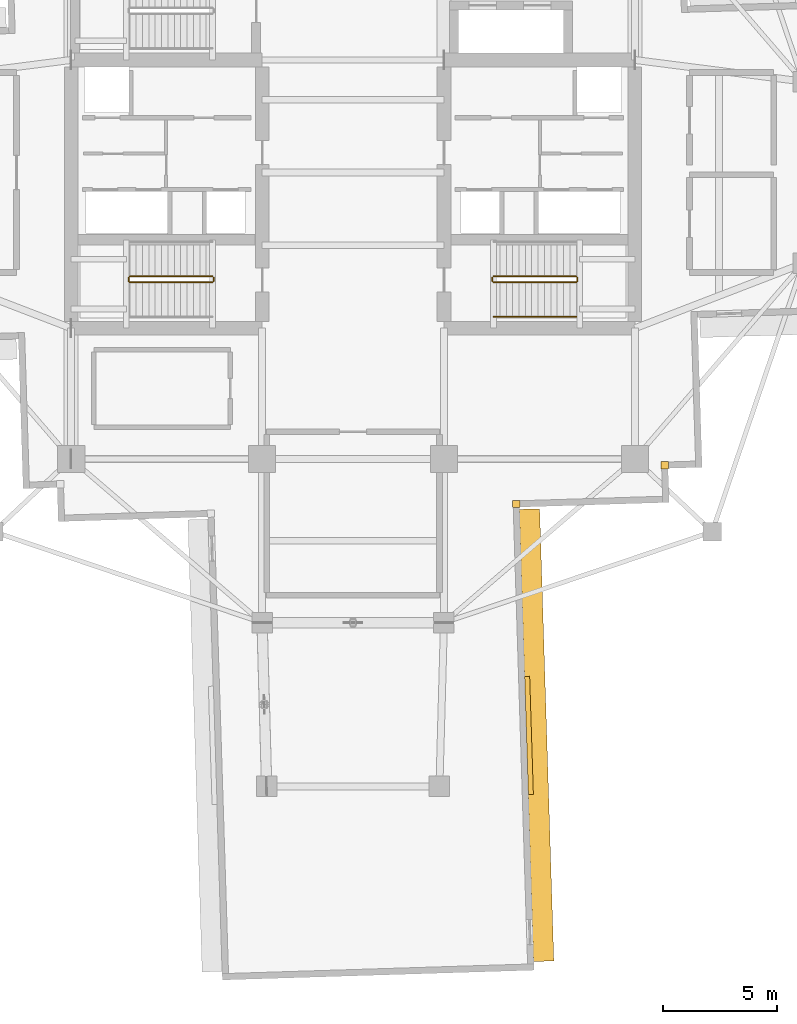
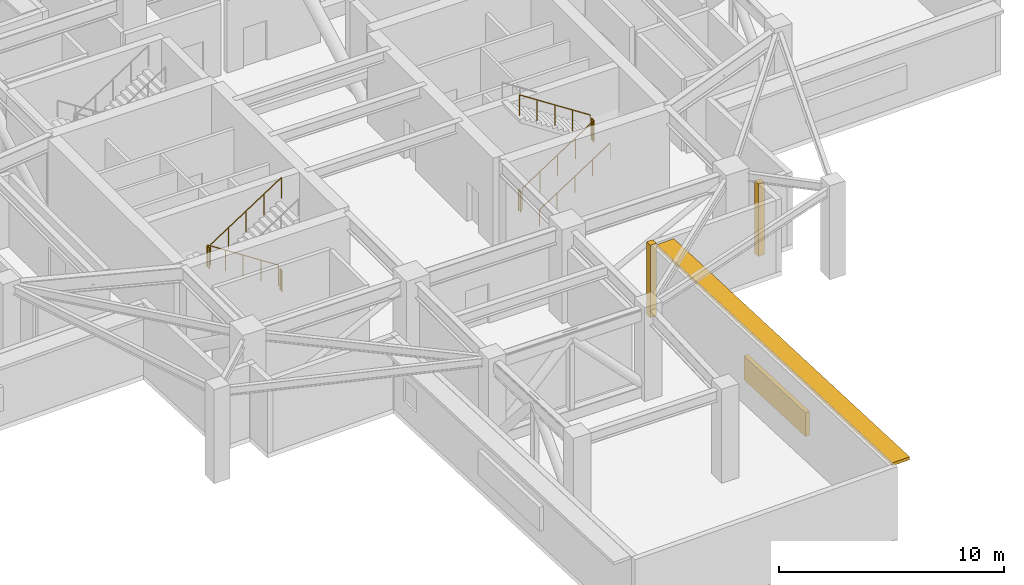
# One storey, part 14 of 17: 9 railings, 2 coverings, 2 shading devices.
"""IFC4 building model written with IfcOpenShell, lengths in metres."""

import ifcopenshell
import ifcopenshell.guid

model = None  # the IFC model being written
_history = None  # IfcOwnerHistory: only IFC2X3 demands one
_inside = {}  # id of a spatial element -> (the spatial element, [elements in it])
_under = {}  # id of a project, library or spatial element -> (it, [spatial elements below it])
_declared = {}  # id of a project -> (the project, [libraries it declares])
_typed = {}  # id of a type object -> (the type object, [elements of that type])
_made_of = {}  # id of a material, layer set ... -> (it, [elements and type objects made of it])


def new_model(schema):
    """Start an empty IFC model of exactly this schema.

    Asked for "IFC4X3", IfcOpenShell would pick the latest addendum, in which some entities
    have other attributes; the version numbers below select the first issue.
    IFC2X3 requires an IfcOwnerHistory on every rooted entity: one is made here for all.
    """
    global model, _history
    if schema == "IFC4X3":
        model = ifcopenshell.file(schema_version=(4, 3, 0, 0))
    else:
        model = ifcopenshell.file(schema=schema)
    _inside.clear()
    _under.clear()
    _declared.clear()
    _typed.clear()
    _made_of.clear()
    _history = None
    if model.schema == "IFC2X3":
        org = make("IfcOrganization", Name="unknown")
        user = make(
            "IfcPersonAndOrganization",
            ThePerson=make("IfcPerson", FamilyName="unknown"),
            TheOrganization=org,
        )
        app = make(
            "IfcApplication",
            ApplicationDeveloper=org,
            Version="unknown",
            ApplicationFullName="unknown",
            ApplicationIdentifier="unknown",
        )
        _history = make(
            "IfcOwnerHistory",
            OwningUser=user,
            OwningApplication=app,
            ChangeAction="ADDED",
            CreationDate=0,
        )
    return model


def make(cls, **values):
    """One entity of the class cls with the attributes given. An attribute that is None is left unset."""
    return model.create_entity(
        cls, **{name: value for name, value in values.items() if value is not None}
    )


def rooted(cls, **values):
    """An entity with a GlobalId (a new one), such as an element, a storey or a relation."""
    return make(cls, GlobalId=ifcopenshell.guid.new(), OwnerHistory=_history, **values)


def si_unit(unit_type, name, prefix=None):
    """IfcSIUnit, for example si_unit("LENGTHUNIT", "METRE", prefix="MILLI")."""
    return make("IfcSIUnit", UnitType=unit_type, Prefix=prefix, Name=name)


def assignment(units):
    """IfcUnitAssignment: the units of a project."""
    return None if units is None else make("IfcUnitAssignment", Units=units)


def point(xyz):
    """IfcCartesianPoint."""
    return None if xyz is None else make("IfcCartesianPoint", Coordinates=xyz)


def direction(xyz):
    """IfcDirection."""
    return None if xyz is None else make("IfcDirection", DirectionRatios=xyz)


def frame(location, z_axis=None, x_axis=None):
    """IfcAxis2Placement3D, a coordinate frame: its origin and axes. An axis left out is left unset."""
    return make(
        "IfcAxis2Placement3D",
        Location=point(location),
        Axis=direction(z_axis),
        RefDirection=direction(x_axis),
    )


def frame_2d(location, x_axis=None):
    """IfcAxis2Placement2D, a coordinate frame in the plane: its origin and x axis."""
    return make(
        "IfcAxis2Placement2D", Location=point(location), RefDirection=direction(x_axis)
    )


def origin():
    """The frame at (0, 0, 0) with its axes left unset."""
    return frame((0.0, 0.0, 0.0))


def origin_2d():
    """The frame at (0, 0) in the plane with its x axis left unset."""
    return frame_2d((0.0, 0.0))


def place(relative_to, where):
    """IfcLocalPlacement: puts the frame where relative to a parent placement (None: the world)."""
    return make(
        "IfcLocalPlacement", PlacementRelTo=relative_to, RelativePlacement=where
    )


def context(
    kind, dimensions, precision=None, world=None, true_north=None, identifier=None
):
    """IfcGeometricRepresentationContext, for example the 3D "Model" context."""
    return make(
        "IfcGeometricRepresentationContext",
        ContextIdentifier=identifier,
        ContextType=kind,
        CoordinateSpaceDimension=dimensions,
        Precision=precision,
        WorldCoordinateSystem=world,
        TrueNorth=true_north,
    )


def subcontext(parent, identifier, kind, view, scale=None):
    """IfcGeometricRepresentationSubContext, for example "Body" below "Model"."""
    return make(
        "IfcGeometricRepresentationSubContext",
        ContextIdentifier=identifier,
        ContextType=kind,
        ParentContext=parent,
        TargetScale=scale,
        TargetView=view,
    )


def project(units=None, contexts=None):
    """IfcProject with its units and contexts."""
    return rooted(
        "IfcProject",
        Name="project",
        RepresentationContexts=contexts,
        UnitsInContext=assignment(units),
    )


def spatial(cls, under=None, at=None, **own):
    """A site, building, storey or space (cls), placed at a placement, below another one or the project."""
    s = rooted(cls, ObjectPlacement=at, **own)
    if under is not None:
        _under.setdefault(under.id(), (under, []))[1].append(s)
    return s


def profile(cls, at=None, kind="AREA", **sizes):
    """A parametric profile (cls). Its sizes go by their IFC names, for example OverallWidth=200.0."""
    return make(cls, ProfileType=kind, Position=at, **sizes)


def rectangle(**sizes):
    """IfcRectangleProfileDef."""
    return profile("IfcRectangleProfileDef", **sizes)


def circle(**sizes):
    """IfcCircleProfileDef."""
    return profile("IfcCircleProfileDef", **sizes)


def extrude(swept, where, along, depth):
    """IfcExtrudedAreaSolid: the profile swept, set in the frame where, extruded along a direction by depth."""
    return make(
        "IfcExtrudedAreaSolid",
        SweptArea=swept,
        Position=where,
        ExtrudedDirection=direction(along),
        Depth=depth,
    )


def shape(context_of_items, identifier, shape_type, items):
    """IfcShapeRepresentation: the items that make up one representation, for example the "Body"."""
    return make(
        "IfcShapeRepresentation",
        ContextOfItems=context_of_items,
        RepresentationIdentifier=identifier,
        RepresentationType=shape_type,
        Items=items,
    )


def material(Name=None, Category=None):
    """IfcMaterial."""
    return make("IfcMaterial", Name=Name, Category=Category)


def layer(
    of_material, thickness, ventilated=None, Name=None, Category=None, Priority=None
):
    """IfcMaterialLayer: one layer of a wall or slab, of a material (None: an air gap)."""
    return make(
        "IfcMaterialLayer",
        Material=of_material,
        LayerThickness=thickness,
        IsVentilated=ventilated,
        Name=Name,
        Category=Category,
        Priority=Priority,
    )


def layer_set(layers, Name=None):
    """IfcMaterialLayerSet."""
    return make("IfcMaterialLayerSet", MaterialLayers=layers, LayerSetName=Name)


def made_of(thing, what):
    """Note that an element or type object is made of a material, layer set ...; save() writes the relation."""
    if what is not None:
        _made_of.setdefault(what.id(), (what, []))[1].append(thing)
    return thing


def type_object(cls, material=None, **own):
    """A type object (cls), such as IfcWallType, which elements share."""
    return made_of(rooted(cls, **own), material)


def element(
    cls,
    number,
    at=None,
    inside=None,
    cuts=None,
    type_object=None,
    material=None,
    context=None,
    identifier="Body",
    shape_type=None,
    held_by="IfcProductDefinitionShape",
    body=None,
    shapes=None,
    **own,
):
    """One element of the class cls, such as IfcWall. Its Tag is "e" and its number.

    at: its placement. inside: the storey or other place that contains it. cuts: it is an
    opening in that element (IfcRelVoidsElement). A single representation is given by context,
    identifier, shape_type and body (its items); several are given by shapes. held_by: the class
    of the entity that holds the representations. save() writes the other relations.
    """
    e = rooted(cls, Tag="e%d" % number, ObjectPlacement=at, **own)
    if body is not None:
        shapes = [shape(context, identifier, shape_type, body)]
    if shapes is not None:
        e.Representation = make(held_by, Representations=shapes)
    if inside is not None:
        _inside.setdefault(inside.id(), (inside, []))[1].append(e)
    if cuts is not None:
        rooted(
            "IfcRelVoidsElement", RelatingBuildingElement=cuts, RelatedOpeningElement=e
        )
    if type_object is not None:
        _typed.setdefault(type_object.id(), (type_object, []))[1].append(e)
    return made_of(e, material)


def aggregate(whole, parts):
    """IfcRelAggregates: a whole, such as a stair, and the parts it consists of."""
    return rooted("IfcRelAggregates", RelatingObject=whole, RelatedObjects=parts)


def save(model, path):
    """Write the relations noted so far, then the file.

    IfcRelAggregates (storeys below a building ...), IfcRelContainedInSpatialStructure (elements
    in a storey), IfcRelDefinesByType, IfcRelAssociatesMaterial and IfcRelDeclares: one each for
    every whole, place, type object, material and project.
    """
    for whole, parts in _under.values():
        aggregate(whole, parts)
    for where, things in _inside.values():
        rooted(
            "IfcRelContainedInSpatialStructure",
            RelatedElements=things,
            RelatingStructure=where,
        )
    for kind, things in _typed.values():
        rooted("IfcRelDefinesByType", RelatedObjects=things, RelatingType=kind)
    for what, things in _made_of.values():
        rooted("IfcRelAssociatesMaterial", RelatedObjects=things, RelatingMaterial=what)
    for by, libraries in _declared.values():
        rooted("IfcRelDeclares", RelatingContext=by, RelatedDefinitions=libraries)
    model.write(path)


model = new_model("IFC4")

# Units and contexts
model_context = context("Model", 3, precision=1e-05, world=origin(), true_north=direction((0.0, 1.0)))
body_context = subcontext(model_context, "Body", "Model", "MODEL_VIEW")
ifc_project = project(units=[si_unit("LENGTHUNIT", "METRE"), si_unit("AREAUNIT", "SQUARE_METRE"), si_unit("VOLUMEUNIT", "CUBIC_METRE"), si_unit("PLANEANGLEUNIT", "RADIAN"), si_unit("MASSUNIT", "GRAM", prefix="KILO")], contexts=[model_context])

# Site, building, storey
site_placement = place(None, origin())
site = spatial("IfcSite", under=ifc_project, at=site_placement, CompositionType="ELEMENT")
building_placement = place(site_placement, origin())
building = spatial("IfcBuilding", under=site, at=building_placement, Name="Qingluan Cross Belvedere", CompositionType="ELEMENT")
storey_placement = place(building_placement, frame((0.0, 0.0, 191.699951171875)))
storey = spatial("IfcBuildingStorey", under=building, at=storey_placement, Name="L48", CompositionType="ELEMENT", Elevation=191.699951171875)

# Coverings
ifc_material_1 = material(Name="Precast concrete C45", Category="concrete")
ifc_layer_1 = layer(ifc_material_1, 0.1201171875, Name="ConcreteSpandrelCladding_120")
ifc_layer_set_1 = layer_set([ifc_layer_1], Name="Precast concrete C45")
covering_type = type_object("IfcCoveringType", Name="ConcreteSpandrelCladding_120", PredefinedType="CLADDING", material=ifc_layer_set_1)
for number, where, z_axis, x_axis, name in (
    (1, (13.711181640625, -12.875732421875, 0.0), (0.0, 0.0, 1.0), (0.999506560366, 0.031410759078, 0.0), "Corner closure L48-SE1"),
    (2, (7.181640625, -14.58154296875, 0.0), (0.0, 0.0, 1.0), (0.999506560366, 0.031410759078, 0.0), "Corner closure L48-SE2"),
):
    element("IfcCovering", number, at=place(storey_placement, frame(where, z_axis=z_axis, x_axis=x_axis)), inside=storey, type_object=covering_type, Name=name, PredefinedType="CLADDING", context=body_context, shape_type="SweptSolid", body=[
        extrude(rectangle(XDim=0.320068359375, YDim=0.320068359375, at=origin_2d()), origin(), (0.0, 0.0, 1.0), 3.929931640625),
    ])

# Shading devices
ifc_material_2 = material(Name="Precast concrete C45", Category="concrete")
ifc_layer_2 = layer(ifc_material_2, 0.159912109375, Name="ConcreteSunshadeBand_900")
ifc_layer_set_2 = layer_set([ifc_layer_2], Name="Precast concrete C45")
shading_device_type_1 = type_object("IfcShadingDeviceType", Name="ConcreteSunshadeBand_900", PredefinedType="USERDEFINED", material=ifc_layer_set_2)
shading_device_1_placement = place(storey_placement, frame((8.0712890625, -24.74853515625, 3.75), z_axis=(0.0, 0.0, 1.0), x_axis=(-0.031407934627, 0.999506649124, 0.0)))
element("IfcShadingDevice", 3, at=shading_device_1_placement, inside=storey, type_object=shading_device_type_1, Name="Concrete SUNSHADE L48-SB", ObjectType="SUNSHADE", PredefinedType="USERDEFINED", context=body_context, shape_type="SweptSolid", body=[
    extrude(rectangle(XDim=19.89990234375, YDim=0.89990234375, at=origin_2d()), origin(), (0.0, 0.0, 1.0), 0.159912109375),
])
ifc_material_3 = material(Name="Anodised aluminium acoustic louvre screen", Category="aluminium")
ifc_layer_3 = layer(ifc_material_3, 0.219970703125, Name="RefugeAcousticLouvre_Screen")
ifc_layer_set_3 = layer_set([ifc_layer_3], Name="Anodised aluminium acoustic louvre screen")
shading_device_type_2 = type_object("IfcShadingDeviceType", Name="RefugeAcousticLouvre_Screen", PredefinedType="JALOUSIE", material=ifc_layer_set_3)
shading_device_2_placement = place(storey_placement, frame((7.741455078125, -24.759033203125, 0.9501953125), z_axis=(0.0, 0.0, 1.0), x_axis=(-0.031407934627, 0.999506649124, 0.0)))
element("IfcShadingDevice", 4, at=shading_device_2_placement, inside=storey, type_object=shading_device_type_2, Name="Plant acoustic louvre SCREEN L48-SB", PredefinedType="JALOUSIE", context=body_context, shape_type="SweptSolid", body=[
    extrude(rectangle(XDim=5.199951171875, YDim=0.219970703125, at=origin_2d()), origin(), (0.0, 0.0, 1.0), 1.300048828125),
])

# Railings
ifc_material_4 = material(Name="Brushed stainless steel tubular handrail", Category="steel")
railing_type_1 = type_object("IfcRailingType", Name="StairPitchHandrail_900", PredefinedType="HANDRAIL", material=ifc_material_4)
railing_1_placement = place(storey_placement, frame((6.179931640625, -6.35009765625, 0.18212890625)))
element("IfcRailing", 5, at=railing_1_placement, inside=storey, type_object=railing_type_1, Name="L48 ST2 stair handrail 1", PredefinedType="HANDRAIL", context=body_context, shape_type="SweptSolid", body=[
    extrude(circle(Radius=0.02392578125, at=origin_2d()), frame((0.0, 0.0, 0.8759765625), z_axis=(0.83825089185, 0.0, 0.545284735081), x_axis=(0.0, 1.0, 0.0)), (0.0, 0.0, 1.0), 4.342529296875),
    extrude(circle(Radius=0.02099609375, at=origin_2d()), origin(), (0.0, 0.0, 1.0), 0.851806640625),
    extrude(circle(Radius=0.02099609375, at=origin_2d()), frame((0.91015625, 0.0, 0.592041015625)), (0.0, 0.0, 1.0), 0.851806640625),
    extrude(circle(Radius=0.02099609375, at=origin_2d()), frame((1.820068359375, 0.0, 1.18408203125)), (0.0, 0.0, 1.0), 0.851806640625),
    extrude(circle(Radius=0.02099609375, at=origin_2d()), frame((2.72998046875, 0.0, 1.77587890625)), (0.0, 0.0, 1.0), 0.851806640625),
    extrude(circle(Radius=0.02099609375, at=origin_2d()), frame((3.64013671875, 0.0, 2.367919921875)), (0.0, 0.0, 1.0), 0.851806640625),
])
ifc_material_5 = material(Name="Painted steel stair well guard", Category="steel")
railing_type_2 = type_object("IfcRailingType", Name="StairWellGuard_1150", PredefinedType="BALUSTRADE", material=ifc_material_5)
railing_2_placement = place(storey_placement, frame((-6.179931640625, -4.570068359375, 0.18212890625)))
element("IfcRailing", 6, at=railing_2_placement, inside=storey, type_object=railing_type_2, Name="L48 ST1 stair guard 1", PredefinedType="BALUSTRADE", context=body_context, shape_type="SweptSolid", body=[
    extrude(circle(Radius=0.02392578125, at=origin_2d()), frame((0.0, 0.0, 1.1259765625), z_axis=(-0.83825089185, 0.0, 0.545284735081), x_axis=(0.0, -1.0, 0.0)), (0.0, 0.0, 1.0), 4.342529296875),
    extrude(circle(Radius=0.02099609375, at=origin_2d()), origin(), (0.0, 0.0, 1.0), 1.101806640625),
    extrude(circle(Radius=0.02099609375, at=origin_2d()), frame((-0.91015625, 0.0, 0.592041015625)), (0.0, 0.0, 1.0), 1.101806640625),
    extrude(circle(Radius=0.02099609375, at=origin_2d()), frame((-1.820068359375, 0.0, 1.18408203125)), (0.0, 0.0, 1.0), 1.101806640625),
    extrude(circle(Radius=0.02099609375, at=origin_2d()), frame((-2.72998046875, 0.0, 1.77587890625)), (0.0, 0.0, 1.0), 1.101806640625),
    extrude(circle(Radius=0.02099609375, at=origin_2d()), frame((-3.64013671875, 0.0, 2.367919921875)), (0.0, 0.0, 1.0), 1.101806640625),
])
railing_3_placement = place(storey_placement, frame((-9.8701171875, -4.6201171875, 2.550048828125)))
element("IfcRailing", 7, at=railing_3_placement, inside=storey, type_object=railing_type_2, Name="L48 ST1 stair guard 2", PredefinedType="BALUSTRADE", context=body_context, shape_type="SweptSolid", body=[
    extrude(circle(Radius=0.02392578125, at=origin_2d()), frame((0.0, 0.0, 1.1259765625), z_axis=(0.0, -1.0, 0.0), x_axis=(1.0, 0.0, 0.0)), (0.0, 0.0, 1.0), 0.159912109375),
    extrude(circle(Radius=0.02099609375, at=origin_2d()), origin(), (0.0, 0.0, 1.0), 1.101806640625),
    extrude(circle(Radius=0.02099609375, at=origin_2d()), frame((0.0, -0.159912109375, 0.0)), (0.0, 0.0, 1.0), 1.101806640625),
])
railing_4_placement = place(storey_placement, frame((-9.820068359375, -4.830078125, 2.732177734375)))
element("IfcRailing", 8, at=railing_4_placement, inside=storey, type_object=railing_type_2, Name="L48 ST1 stair guard 3", PredefinedType="BALUSTRADE", context=body_context, shape_type="SweptSolid", body=[
    extrude(circle(Radius=0.02392578125, at=origin_2d()), frame((0.0, 0.0, 1.1259765625), z_axis=(0.83825089185, 0.0, 0.545284735081), x_axis=(0.0, 1.0, 0.0)), (0.0, 0.0, 1.0), 4.342529296875),
    extrude(circle(Radius=0.02099609375, at=origin_2d()), origin(), (0.0, 0.0, 1.0), 1.101806640625),
    extrude(circle(Radius=0.02099609375, at=origin_2d()), frame((0.91015625, 0.0, 0.592041015625)), (0.0, 0.0, 1.0), 1.101806640625),
    extrude(circle(Radius=0.02099609375, at=origin_2d()), frame((1.820068359375, 0.0, 1.18408203125)), (0.0, 0.0, 1.0), 1.101806640625),
    extrude(circle(Radius=0.02099609375, at=origin_2d()), frame((2.72998046875, 0.0, 1.77587890625)), (0.0, 0.0, 1.0), 1.101806640625),
    extrude(circle(Radius=0.02099609375, at=origin_2d()), frame((3.64013671875, 0.0, 2.367919921875)), (0.0, 0.0, 1.0), 1.101806640625),
])
railing_5_placement = place(storey_placement, frame((-6.1298828125, -4.6201171875, 0.0)))
element("IfcRailing", 9, at=railing_5_placement, inside=storey, type_object=railing_type_2, Name="L48 ST1 stair guard 4", PredefinedType="BALUSTRADE", context=body_context, shape_type="SweptSolid", body=[
    extrude(circle(Radius=0.02392578125, at=origin_2d()), frame((0.0, 0.0, 1.1259765625), z_axis=(0.0, -1.0, 0.0), x_axis=(1.0, 0.0, 0.0)), (0.0, 0.0, 1.0), 0.159912109375),
    extrude(circle(Radius=0.02099609375, at=origin_2d()), origin(), (0.0, 0.0, 1.0), 1.101806640625),
    extrude(circle(Radius=0.02099609375, at=origin_2d()), frame((0.0, -0.159912109375, 0.0)), (0.0, 0.0, 1.0), 1.101806640625),
])
railing_6_placement = place(storey_placement, frame((6.179931640625, -4.830078125, 0.18212890625)))
element("IfcRailing", 10, at=railing_6_placement, inside=storey, type_object=railing_type_2, Name="L48 ST2 stair guard 1", PredefinedType="BALUSTRADE", context=body_context, shape_type="SweptSolid", body=[
    extrude(circle(Radius=0.02392578125, at=origin_2d()), frame((0.0, 0.0, 1.1259765625), z_axis=(0.83825089185, 0.0, 0.545284735081), x_axis=(0.0, 1.0, 0.0)), (0.0, 0.0, 1.0), 4.342529296875),
    extrude(circle(Radius=0.02099609375, at=origin_2d()), origin(), (0.0, 0.0, 1.0), 1.101806640625),
    extrude(circle(Radius=0.02099609375, at=origin_2d()), frame((0.91015625, 0.0, 0.592041015625)), (0.0, 0.0, 1.0), 1.101806640625),
    extrude(circle(Radius=0.02099609375, at=origin_2d()), frame((1.820068359375, 0.0, 1.18408203125)), (0.0, 0.0, 1.0), 1.101806640625),
    extrude(circle(Radius=0.02099609375, at=origin_2d()), frame((2.72998046875, 0.0, 1.77587890625)), (0.0, 0.0, 1.0), 1.101806640625),
    extrude(circle(Radius=0.02099609375, at=origin_2d()), frame((3.64013671875, 0.0, 2.367919921875)), (0.0, 0.0, 1.0), 1.101806640625),
])
railing_7_placement = place(storey_placement, frame((9.8701171875, -4.780029296875, 2.550048828125)))
element("IfcRailing", 11, at=railing_7_placement, inside=storey, type_object=railing_type_2, Name="L48 ST2 stair guard 2", PredefinedType="BALUSTRADE", context=body_context, shape_type="SweptSolid", body=[
    extrude(circle(Radius=0.02392578125, at=origin_2d()), frame((0.0, 0.0, 1.1259765625), z_axis=(0.0, 1.0, 0.0), x_axis=(-1.0, 0.0, 0.0)), (0.0, 0.0, 1.0), 0.159912109375),
    extrude(circle(Radius=0.02099609375, at=origin_2d()), origin(), (0.0, 0.0, 1.0), 1.101806640625),
    extrude(circle(Radius=0.02099609375, at=origin_2d()), frame((0.0, 0.159912109375, 0.0)), (0.0, 0.0, 1.0), 1.101806640625),
])
railing_8_placement = place(storey_placement, frame((9.820068359375, -4.570068359375, 2.732177734375)))
element("IfcRailing", 12, at=railing_8_placement, inside=storey, type_object=railing_type_2, Name="L48 ST2 stair guard 3", PredefinedType="BALUSTRADE", context=body_context, shape_type="SweptSolid", body=[
    extrude(circle(Radius=0.02392578125, at=origin_2d()), frame((0.0, 0.0, 1.1259765625), z_axis=(-0.83825089185, 0.0, 0.545284735081), x_axis=(0.0, -1.0, 0.0)), (0.0, 0.0, 1.0), 4.342529296875),
    extrude(circle(Radius=0.02099609375, at=origin_2d()), origin(), (0.0, 0.0, 1.0), 1.101806640625),
    extrude(circle(Radius=0.02099609375, at=origin_2d()), frame((-0.91015625, 0.0, 0.592041015625)), (0.0, 0.0, 1.0), 1.101806640625),
    extrude(circle(Radius=0.02099609375, at=origin_2d()), frame((-1.820068359375, 0.0, 1.18408203125)), (0.0, 0.0, 1.0), 1.101806640625),
    extrude(circle(Radius=0.02099609375, at=origin_2d()), frame((-2.72998046875, 0.0, 1.77587890625)), (0.0, 0.0, 1.0), 1.101806640625),
    extrude(circle(Radius=0.02099609375, at=origin_2d()), frame((-3.64013671875, 0.0, 2.367919921875)), (0.0, 0.0, 1.0), 1.101806640625),
])
railing_9_placement = place(storey_placement, frame((6.1298828125, -4.780029296875, 0.0)))
element("IfcRailing", 13, at=railing_9_placement, inside=storey, type_object=railing_type_2, Name="L48 ST2 stair guard 4", PredefinedType="BALUSTRADE", context=body_context, shape_type="SweptSolid", body=[
    extrude(circle(Radius=0.02392578125, at=origin_2d()), frame((0.0, 0.0, 1.1259765625), z_axis=(0.0, 1.0, 0.0), x_axis=(-1.0, 0.0, 0.0)), (0.0, 0.0, 1.0), 0.159912109375),
    extrude(circle(Radius=0.02099609375, at=origin_2d()), origin(), (0.0, 0.0, 1.0), 1.101806640625),
    extrude(circle(Radius=0.02099609375, at=origin_2d()), frame((0.0, 0.159912109375, 0.0)), (0.0, 0.0, 1.0), 1.101806640625),
])

save(model, "model.ifc")
